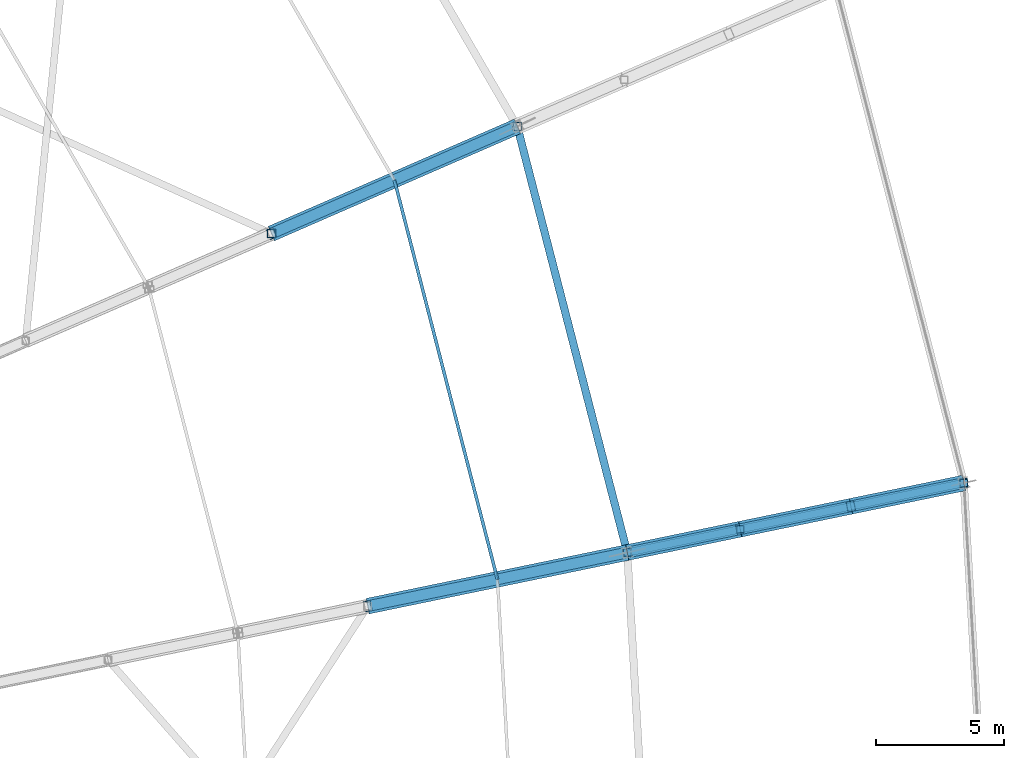
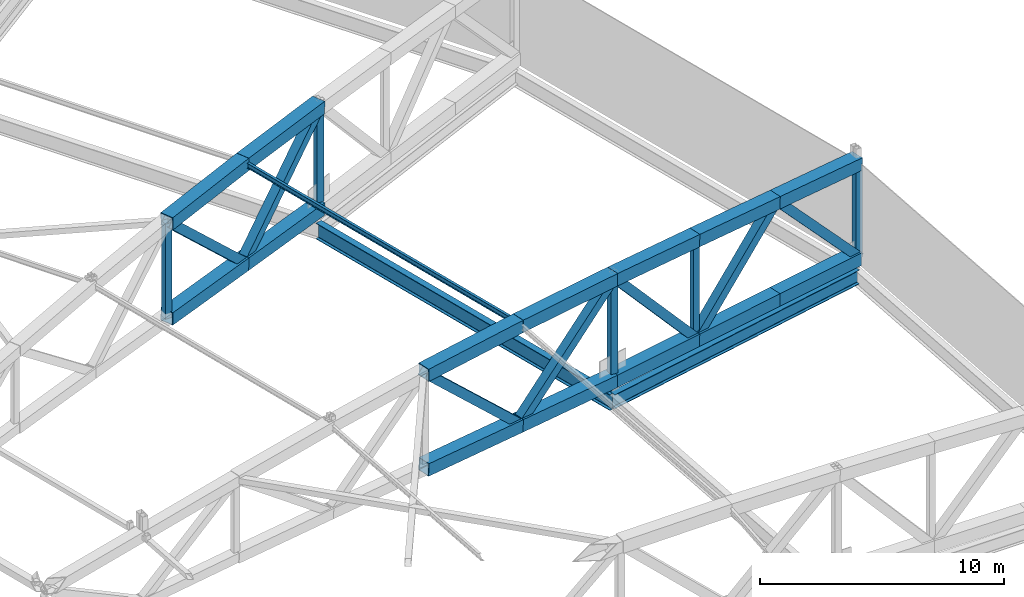
# One storey, part 63 of 162: 27 members, 2 beams.
"""IFC4 building model written with IfcOpenShell, lengths in metres."""

from ifc_helpers import new_model, si_unit, direction, frame, origin, origin_2d, place, context, subcontext, project, spatial, hollow_rectangle, i_section, extrude, material, material_profile, profile_set, type_object, element, save


model = new_model("IFC4")

# Units and contexts
model_context = context("Model", 3, precision=1e-05, world=origin(), true_north=direction((0.0, 1.0)))
body_context = subcontext(model_context, "Body", "Model", "MODEL_VIEW")
ifc_project = project(units=[si_unit("LENGTHUNIT", "METRE"), si_unit("AREAUNIT", "SQUARE_METRE"), si_unit("VOLUMEUNIT", "CUBIC_METRE"), si_unit("PLANEANGLEUNIT", "RADIAN"), si_unit("MASSUNIT", "GRAM", prefix="KILO")], contexts=[model_context])

# Site, building, storey
site_placement = place(None, origin())
site = spatial("IfcSite", under=ifc_project, at=site_placement, CompositionType="ELEMENT")
building_placement = place(site_placement, origin())
building = spatial("IfcBuilding", under=site, at=building_placement, Name="Kazemori Nagisa Stadium", CompositionType="ELEMENT")
storey_placement = place(building_placement, frame((0.0, 0.0, 36.719970703125)))
storey = spatial("IfcBuildingStorey", under=building, at=storey_placement, Name="RF", CompositionType="ELEMENT", Elevation=36.719970703125)

# Beams
ifc_material_1 = material(Name="Steel SN490B", Category="steel")
ifc_material_profile_1 = material_profile(ifc_material_1, i_section(OverallWidth=0.300048828125, OverallDepth=0.699951171875, WebThickness=0.012939453125, FlangeThickness=0.02392578125, FilletRadius=0.01806640625, at=origin_2d()), Name="H-700x300x13x24")
ifc_profile_set_1 = profile_set([ifc_material_profile_1], Name="Steel SN490B")
beam_type_1 = type_object("IfcBeamType", Name="Beam_BG-H700", PredefinedType="BEAM", material=ifc_profile_set_1)
beam_1_placement = place(storey_placement, frame((203.737548828125, 118.68212890625, -0.6298828125), z_axis=(0.979315516463, 0.202339119339, 0.0), x_axis=(-0.202339119339, 0.979315516463, 0.0)))
element("IfcBeam", 1, at=beam_1_placement, inside=storey, type_object=beam_type_1, Name="Radial girder BG-H700 RF R2-R3-02", PredefinedType="BEAM", context=body_context, shape_type="SweptSolid", body=[
    extrude(i_section(OverallWidth=0.300048828125, OverallDepth=0.699951171875, WebThickness=0.012939453125, FlangeThickness=0.02392578125, FilletRadius=0.01806640625, at=origin_2d()), origin(), (0.0, 0.0, 1.0), 13.4208984375),
])
ifc_material_profile_2 = material_profile(ifc_material_1, i_section(OverallWidth=0.300048828125, OverallDepth=0.800048828125, WebThickness=0.013916015625, FlangeThickness=0.02587890625, FilletRadius=0.01806640625, at=origin_2d()), Name="H-800x300x14x26")
ifc_profile_set_2 = profile_set([ifc_material_profile_2], Name="Steel SN490B")
beam_type_2 = type_object("IfcBeamType", Name="Beam_BG-H800", PredefinedType="BEAM", material=ifc_profile_set_2)
beam_2_placement = place(storey_placement, frame((203.737548828125, 118.68212890625, -0.679931640625), z_axis=(-0.249974673676, 0.968252375427, 0.0), x_axis=(-0.968252375427, -0.249974673676, 0.0)))
element("IfcBeam", 2, at=beam_2_placement, inside=storey, type_object=beam_type_2, Name="Ring girder BG-H800 RF R2-02", PredefinedType="BEAM", context=body_context, shape_type="SweptSolid", body=[
    extrude(i_section(OverallWidth=0.300048828125, OverallDepth=0.800048828125, WebThickness=0.013916015625, FlangeThickness=0.02587890625, FilletRadius=0.01806640625, at=origin_2d()), origin(), (0.0, 0.0, 1.0), 17.188232421875),
])

# Members
ifc_material_2 = material(Name="Steel STKR490", Category="steel")
ifc_material_profile_3 = material_profile(ifc_material_2, hollow_rectangle(XDim=0.419921875, YDim=0.419921875, WallThickness=0.01611328125, at=origin_2d()), Name="SHS-420x420x16")
ifc_profile_set_3 = profile_set([ifc_material_profile_3], Name="Steel STKR490")
member_type_1 = type_object("IfcMemberType", Name="Member_TB-SHS420", PredefinedType="BRACE", material=ifc_profile_set_3)
member_1_placement = place(storey_placement, frame((216.880859375, 121.397705078125, 0.360107421875), z_axis=(-0.662864139427, -0.136952066432, 0.736108187811), x_axis=(0.202333241472, -0.979316730887, 0.0)))
element("IfcMember", 3, at=member_1_placement, inside=storey, type_object=member_type_1, Name="Roof space truss diagonal RT-02-1", PredefinedType="BRACE", context=body_context, shape_type="SweptSolid", body=[
    extrude(hollow_rectangle(XDim=0.419921875, YDim=0.419921875, WallThickness=0.01611328125, at=origin_2d()), origin(), (0.0, 0.0, 1.0), 6.656494140625),
])
member_2_placement = place(storey_placement, frame((212.468505859375, 120.486083984375, 5.260009765625), z_axis=(-0.661047827979, -0.136589395176, -0.737806957306), x_axis=(0.202351130202, -0.979313034788, 0.0)))
element("IfcMember", 4, at=member_2_placement, inside=storey, type_object=member_type_1, Name="Roof space truss diagonal RT-02-2", PredefinedType="BRACE", context=body_context, shape_type="SweptSolid", body=[
    extrude(hollow_rectangle(XDim=0.419921875, YDim=0.419921875, WallThickness=0.01611328125, at=origin_2d()), origin(), (0.0, 0.0, 1.0), 6.532958984375),
])
member_3_placement = place(storey_placement, frame((208.14990234375, 119.59375, 0.43994140625), z_axis=(-0.646950982028, -0.133664304039, 0.750725169872), x_axis=(0.202333241472, -0.979316730887, 0.0)))
element("IfcMember", 5, at=member_3_placement, inside=storey, type_object=member_type_1, Name="Roof space truss diagonal RT-02-3", PredefinedType="BRACE", context=body_context, shape_type="SweptSolid", body=[
    extrude(hollow_rectangle(XDim=0.419921875, YDim=0.419921875, WallThickness=0.01611328125, at=origin_2d()), origin(), (0.0, 0.0, 1.0), 6.8203125),
])
member_4_placement = place(storey_placement, frame((203.737548828125, 118.68212890625, 5.56005859375), z_axis=(-0.711430048977, -0.147014030347, -0.687207508904), x_axis=(0.202370113198, -0.979309112224, 0.0)))
element("IfcMember", 6, at=member_4_placement, inside=storey, type_object=member_type_1, Name="Roof space truss diagonal RT-02-4", PredefinedType="BRACE", context=body_context, shape_type="SweptSolid", body=[
    extrude(hollow_rectangle(XDim=0.419921875, YDim=0.419921875, WallThickness=0.01611328125, at=origin_2d()), origin(), (0.0, 0.0, 1.0), 7.1259765625),
])
member_5_placement = place(storey_placement, frame((198.66796875, 117.634521484375, 0.6630859375), z_axis=(-0.70910869603, -0.146500183288, 0.689711935166), x_axis=(0.20232488246, -0.979318457876, 0.0)))
element("IfcMember", 7, at=member_5_placement, inside=storey, type_object=member_type_1, Name="Roof space truss diagonal RT-02-5", PredefinedType="BRACE", context=body_context, shape_type="SweptSolid", body=[
    extrude(hollow_rectangle(XDim=0.419921875, YDim=0.419921875, WallThickness=0.01611328125, at=origin_2d()), origin(), (0.0, 0.0, 1.0), 7.149169921875),
])
member_6_placement = place(storey_placement, frame((199.44091796875, 135.32470703125, 5.56005859375), z_axis=(-0.669922767275, -0.292075285534, -0.682565391348), x_axis=(0.399651729643, -0.916667057875, 0.0)))
element("IfcMember", 8, at=member_6_placement, inside=storey, type_object=member_type_1, Name="Roof space truss diagonal RT-03-4", PredefinedType="BRACE", context=body_context, shape_type="SweptSolid", body=[
    extrude(hollow_rectangle(XDim=0.419921875, YDim=0.419921875, WallThickness=0.01611328125, at=origin_2d()), origin(), (0.0, 0.0, 1.0), 7.164306640625),
])
member_7_placement = place(storey_placement, frame((194.641357421875, 133.232177734375, 0.669921875), z_axis=(-0.665234553158, -0.290016549091, 0.688006824485), x_axis=(0.399634648115, -0.916674504951, 0.0)))
element("IfcMember", 9, at=member_7_placement, inside=storey, type_object=member_type_1, Name="Roof space truss diagonal RT-03-5", PredefinedType="BRACE", context=body_context, shape_type="SweptSolid", body=[
    extrude(hollow_rectangle(XDim=0.419921875, YDim=0.419921875, WallThickness=0.01611328125, at=origin_2d()), origin(), (0.0, 0.0, 1.0), 7.215087890625),
])
ifc_material_profile_4 = material_profile(ifc_material_2, hollow_rectangle(XDim=0.6201171875, YDim=0.6201171875, WallThickness=0.02197265625, at=origin_2d()), Name="SHS-620x620x22")
ifc_profile_set_4 = profile_set([ifc_material_profile_4], Name="Steel STKR490")
member_type_2 = type_object("IfcMemberType", Name="Member_TC-SHS620", PredefinedType="CHORD", material=ifc_profile_set_4)
member_8_placement = place(storey_placement, frame((216.880859375, 121.397705078125, 5.10009765625), z_axis=(-0.978700488518, -0.202205921769, 0.035469972887), x_axis=(0.202333241472, -0.979316730887, 0.0)))
element("IfcMember", 10, at=member_8_placement, inside=storey, type_object=member_type_2, Name="Roof space truss top chord RT-02-1", PredefinedType="CHORD", context=body_context, shape_type="SweptSolid", body=[
    extrude(hollow_rectangle(XDim=0.6201171875, YDim=0.6201171875, WallThickness=0.02197265625, at=origin_2d()), origin(), (0.0, 0.0, 1.0), 4.50830078125),
])
member_9_placement = place(storey_placement, frame((216.880859375, 121.397705078125, 0.360107421875), z_axis=(-0.97927806384, -0.202325252608, 0.008886272477), x_axis=(0.202333241472, -0.979316730887, 0.0)))
element("IfcMember", 11, at=member_9_placement, inside=storey, type_object=member_type_2, Name="Roof space truss bottom chord RT-02-1", PredefinedType="CHORD", context=body_context, shape_type="SweptSolid", body=[
    extrude(hollow_rectangle(XDim=0.6201171875, YDim=0.6201171875, WallThickness=0.02197265625, at=origin_2d()), origin(), (0.0, 0.0, 1.0), 4.505615234375),
])
member_10_placement = place(storey_placement, frame((212.468505859375, 120.486083984375, 5.260009765625), z_axis=(-0.978669780652, -0.202218217439, 0.0362388324), x_axis=(0.202351130202, -0.979313034788, 0.0)))
element("IfcMember", 12, at=member_10_placement, inside=storey, type_object=member_type_2, Name="Roof space truss top chord RT-02-2", PredefinedType="CHORD", context=body_context, shape_type="SweptSolid", body=[
    extrude(hollow_rectangle(XDim=0.6201171875, YDim=0.6201171875, WallThickness=0.02197265625, at=origin_2d()), origin(), (0.0, 0.0, 1.0), 4.412841796875),
])
member_11_placement = place(storey_placement, frame((212.468505859375, 120.486083984375, 0.400146484375), z_axis=(-0.979273161988, -0.202342891462, 0.009023773272), x_axis=(0.202351130202, -0.979313034788, 0.0)))
element("IfcMember", 13, at=member_11_placement, inside=storey, type_object=member_type_2, Name="Roof space truss bottom chord RT-02-2", PredefinedType="CHORD", context=body_context, shape_type="SweptSolid", body=[
    extrude(hollow_rectangle(XDim=0.6201171875, YDim=0.6201171875, WallThickness=0.02197265625, at=origin_2d()), origin(), (0.0, 0.0, 1.0), 4.409912109375),
])
member_12_placement = place(storey_placement, frame((208.14990234375, 119.59375, 5.419921875), z_axis=(-0.978843374928, -0.202235443035, 0.031088147912), x_axis=(0.202333241472, -0.979316730887, 0.0)))
element("IfcMember", 14, at=member_12_placement, inside=storey, type_object=member_type_2, Name="Roof space truss top chord RT-02-3", PredefinedType="CHORD", context=body_context, shape_type="SweptSolid", body=[
    extrude(hollow_rectangle(XDim=0.6201171875, YDim=0.6201171875, WallThickness=0.02197265625, at=origin_2d()), origin(), (0.0, 0.0, 1.0), 4.5078125),
])
member_13_placement = place(storey_placement, frame((208.14990234375, 119.59375, 0.43994140625), z_axis=(-0.97927806384, -0.202325252608, 0.008886272477), x_axis=(0.202333241472, -0.979316730887, 0.0)))
element("IfcMember", 15, at=member_13_placement, inside=storey, type_object=member_type_2, Name="Roof space truss bottom chord RT-02-3", PredefinedType="CHORD", context=body_context, shape_type="SweptSolid", body=[
    extrude(hollow_rectangle(XDim=0.6201171875, YDim=0.6201171875, WallThickness=0.02197265625, at=origin_2d()), origin(), (0.0, 0.0, 1.0), 4.505615234375),
])
member_14_placement = place(storey_placement, frame((203.737548828125, 118.68212890625, 5.56005859375), z_axis=(-0.979198303699, -0.202347215082, 0.015042824892), x_axis=(0.202370113198, -0.979309112224, 0.0)))
element("IfcMember", 16, at=member_14_placement, inside=storey, type_object=member_type_2, Name="Roof space truss top chord RT-02-4", PredefinedType="CHORD", context=body_context, shape_type="SweptSolid", body=[
    extrude(hollow_rectangle(XDim=0.6201171875, YDim=0.6201171875, WallThickness=0.02197265625, at=origin_2d()), origin(), (0.0, 0.0, 1.0), 5.17724609375),
])
member_15_placement = place(storey_placement, frame((203.737548828125, 118.68212890625, 0.47998046875), z_axis=(-0.978697070873, -0.202243637424, 0.035349039401), x_axis=(0.202370113198, -0.979309112224, 0.0)))
element("IfcMember", 17, at=member_15_placement, inside=storey, type_object=member_type_2, Name="Roof space truss bottom chord RT-02-4", PredefinedType="CHORD", context=body_context, shape_type="SweptSolid", body=[
    extrude(hollow_rectangle(XDim=0.6201171875, YDim=0.6201171875, WallThickness=0.02197265625, at=origin_2d()), origin(), (0.0, 0.0, 1.0), 5.179931640625),
])
member_16_placement = place(storey_placement, frame((198.66796875, 117.634521484375, 5.637939453125), z_axis=(-0.979283172115, -0.202317592505, -0.008488850035), x_axis=(0.20232488246, -0.979318457876, 0.0)))
element("IfcMember", 18, at=member_16_placement, inside=storey, type_object=member_type_2, Name="Roof space truss top chord RT-02-5", PredefinedType="CHORD", context=body_context, shape_type="SweptSolid", body=[
    extrude(hollow_rectangle(XDim=0.6201171875, YDim=0.6201171875, WallThickness=0.02197265625, at=origin_2d()), origin(), (0.0, 0.0, 1.0), 5.1767578125),
])
member_17_placement = place(storey_placement, frame((198.66796875, 117.634521484375, 0.6630859375), z_axis=(-0.978574422096, -0.202171166424, 0.038973322758), x_axis=(0.20232488246, -0.979318457876, 0.0)))
element("IfcMember", 19, at=member_17_placement, inside=storey, type_object=member_type_2, Name="Roof space truss bottom chord RT-02-5", PredefinedType="CHORD", context=body_context, shape_type="SweptSolid", body=[
    extrude(hollow_rectangle(XDim=0.6201171875, YDim=0.6201171875, WallThickness=0.02197265625, at=origin_2d()), origin(), (0.0, 0.0, 1.0), 5.1806640625),
])
member_18_placement = place(storey_placement, frame((199.44091796875, 135.32470703125, 5.56005859375), z_axis=(-0.916500406001, -0.399579072172, 0.019067534771), x_axis=(0.399651729643, -0.916667057875, 0.0)))
element("IfcMember", 20, at=member_18_placement, inside=storey, type_object=member_type_2, Name="Roof space truss top chord RT-03-4", PredefinedType="CHORD", context=body_context, shape_type="SweptSolid", body=[
    extrude(hollow_rectangle(XDim=0.6201171875, YDim=0.6201171875, WallThickness=0.02197265625, at=origin_2d()), origin(), (0.0, 0.0, 1.0), 5.23681640625),
])
member_19_placement = place(storey_placement, frame((199.44091796875, 135.32470703125, 0.47998046875), z_axis=(-0.916064480485, -0.399389015832, 0.036253022321), x_axis=(0.399651729643, -0.916667057875, 0.0)))
element("IfcMember", 21, at=member_19_placement, inside=storey, type_object=member_type_2, Name="Roof space truss bottom chord RT-03-4", PredefinedType="CHORD", context=body_context, shape_type="SweptSolid", body=[
    extrude(hollow_rectangle(XDim=0.6201171875, YDim=0.6201171875, WallThickness=0.02197265625, at=origin_2d()), origin(), (0.0, 0.0, 1.0), 5.2392578125),
])
member_20_placement = place(storey_placement, frame((194.641357421875, 133.232177734375, 5.659912109375), z_axis=(-0.916663309226, -0.399629767211, -0.004942335238), x_axis=(0.399634648115, -0.916674504951, 0.0)))
element("IfcMember", 22, at=member_20_placement, inside=storey, type_object=member_type_2, Name="Roof space truss top chord RT-03-5", PredefinedType="CHORD", context=body_context, shape_type="SweptSolid", body=[
    extrude(hollow_rectangle(XDim=0.6201171875, YDim=0.6201171875, WallThickness=0.02197265625, at=origin_2d()), origin(), (0.0, 0.0, 1.0), 5.236083984375),
])
member_21_placement = place(storey_placement, frame((194.641357421875, 133.232177734375, 0.669921875), z_axis=(-0.915936719343, -0.39931300211, 0.040112996712), x_axis=(0.399634648115, -0.916674504951, 0.0)))
element("IfcMember", 23, at=member_21_placement, inside=storey, type_object=member_type_2, Name="Roof space truss bottom chord RT-03-5", PredefinedType="CHORD", context=body_context, shape_type="SweptSolid", body=[
    extrude(hollow_rectangle(XDim=0.6201171875, YDim=0.6201171875, WallThickness=0.02197265625, at=origin_2d()), origin(), (0.0, 0.0, 1.0), 5.240234375),
])
ifc_material_profile_5 = material_profile(ifc_material_1, i_section(OverallWidth=0.125, OverallDepth=0.25, WebThickness=0.006103515625, FlangeThickness=0.009033203125, FilletRadius=0.008056640625, at=origin_2d()), Name="H-250x125x6x9")
ifc_profile_set_5 = profile_set([ifc_material_profile_5], Name="Steel SN490B")
member_type_3 = type_object("IfcMemberType", Name="Member_TP-H250", PredefinedType="PURLIN", material=ifc_profile_set_5)
member_22_placement = place(storey_placement, frame((198.66796875, 117.634521484375, 5.637939453125), z_axis=(-0.249959832436, 0.968255246143, 0.001363995933), x_axis=(-0.968256146857, -0.249960064959, 0.0)))
element("IfcMember", 24, at=member_22_placement, inside=storey, type_object=member_type_3, Name="Roof purlin TP-H250 B02-P4", PredefinedType="PURLIN", context=body_context, shape_type="SweptSolid", body=[
    extrude(i_section(OverallWidth=0.125, OverallDepth=0.25, WebThickness=0.006103515625, FlangeThickness=0.009033203125, FilletRadius=0.008056640625, at=origin_2d()), origin(), (0.0, 0.0, 1.0), 16.109130859375),
])
ifc_material_profile_6 = material_profile(ifc_material_2, hollow_rectangle(XDim=0.280029296875, YDim=0.280029296875, WallThickness=0.010009765625, at=origin_2d()), Name="SHS-280x280x10")
ifc_profile_set_6 = profile_set([ifc_material_profile_6], Name="Steel STKR490")
member_type_4 = type_object("IfcMemberType", Name="Member_TS-SHS280", PredefinedType="STRUT", material=ifc_profile_set_6)
member_23_placement = place(storey_placement, frame((208.14990234375, 119.59375, 0.43994140625), z_axis=(0.0, 0.0, 1.0), x_axis=(1.0, 0.0, 0.0)))
element("IfcMember", 25, at=member_23_placement, inside=storey, type_object=member_type_4, Name="Roof space truss strut RT-02-3", PredefinedType="STRUT", context=body_context, shape_type="SweptSolid", body=[
    extrude(hollow_rectangle(XDim=0.280029296875, YDim=0.280029296875, WallThickness=0.010009765625, at=origin_2d()), origin(), (0.0, 0.0, 1.0), 4.97998046875),
])
ifc_material_profile_7 = material_profile(ifc_material_2, hollow_rectangle(XDim=0.320068359375, YDim=0.320068359375, WallThickness=0.011962890625, at=origin_2d()), Name="SHS-320x320x12")
ifc_profile_set_7 = profile_set([ifc_material_profile_7], Name="Steel STKR490")
member_type_5 = type_object("IfcMemberType", Name="Member_TS-SHS320", PredefinedType="STRUT", material=ifc_profile_set_7)
member_24_placement = place(storey_placement, frame((216.880859375, 121.397705078125, 0.360107421875), z_axis=(0.0, 0.0, 1.0), x_axis=(1.0, 0.0, 0.0)))
element("IfcMember", 26, at=member_24_placement, inside=storey, type_object=member_type_5, Name="Roof space truss strut RT-02-1", PredefinedType="STRUT", context=body_context, shape_type="SweptSolid", body=[
    extrude(hollow_rectangle(XDim=0.320068359375, YDim=0.320068359375, WallThickness=0.011962890625, at=origin_2d()), origin(), (0.0, 0.0, 1.0), 4.739990234375),
])
for number, where, z_axis, x_axis, name in (
    (27, (203.737548828125, 118.68212890625, 0.47998046875), (0.0, 0.0, 1.0), (1.0, 0.0, 0.0), "Roof space truss strut RT-02-4"),
    (28, (199.44091796875, 135.32470703125, 0.47998046875), (0.0, 0.0, 1.0), (1.0, 0.0, 0.0), "Roof space truss strut RT-03-4"),
):
    element("IfcMember", number, at=place(storey_placement, frame(where, z_axis=z_axis, x_axis=x_axis)), inside=storey, type_object=member_type_5, Name=name, PredefinedType="STRUT", context=body_context, shape_type="SweptSolid", body=[
        extrude(hollow_rectangle(XDim=0.320068359375, YDim=0.320068359375, WallThickness=0.011962890625, at=origin_2d()), origin(), (0.0, 0.0, 1.0), 5.080078125),
    ])
member_25_placement = place(storey_placement, frame((189.841552734375, 131.1396484375, 0.880126953125), z_axis=(0.0, 0.0, 1.0), x_axis=(1.0, 0.0, 0.0)))
element("IfcMember", 29, at=member_25_placement, inside=storey, type_object=member_type_5, Name="Roof space truss strut RT-03-6", PredefinedType="STRUT", context=body_context, shape_type="SweptSolid", body=[
    extrude(hollow_rectangle(XDim=0.320068359375, YDim=0.320068359375, WallThickness=0.011962890625, at=origin_2d()), origin(), (0.0, 0.0, 1.0), 4.75390625),
])

save(model, "model.ifc")
